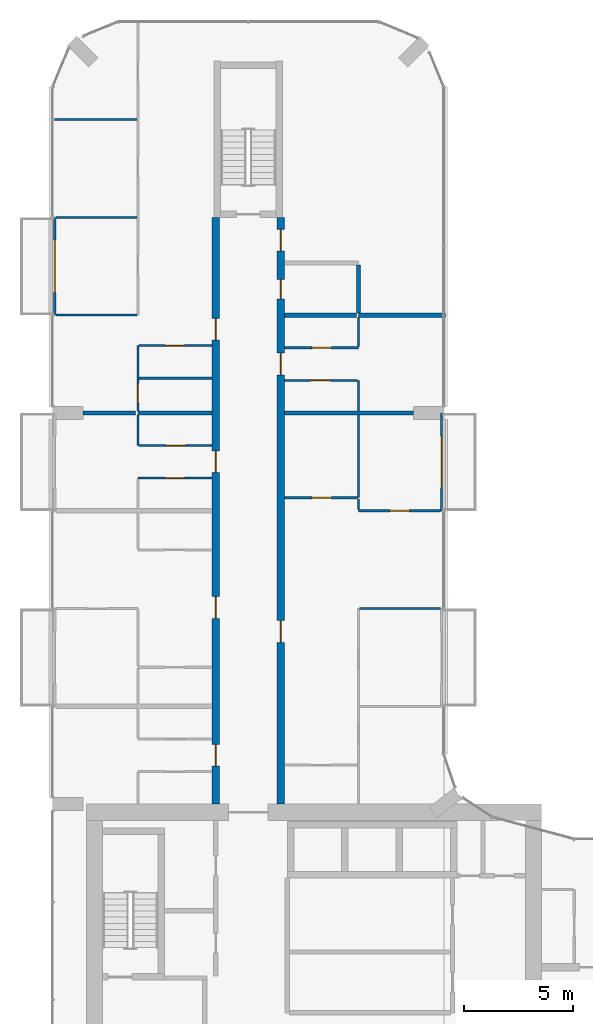
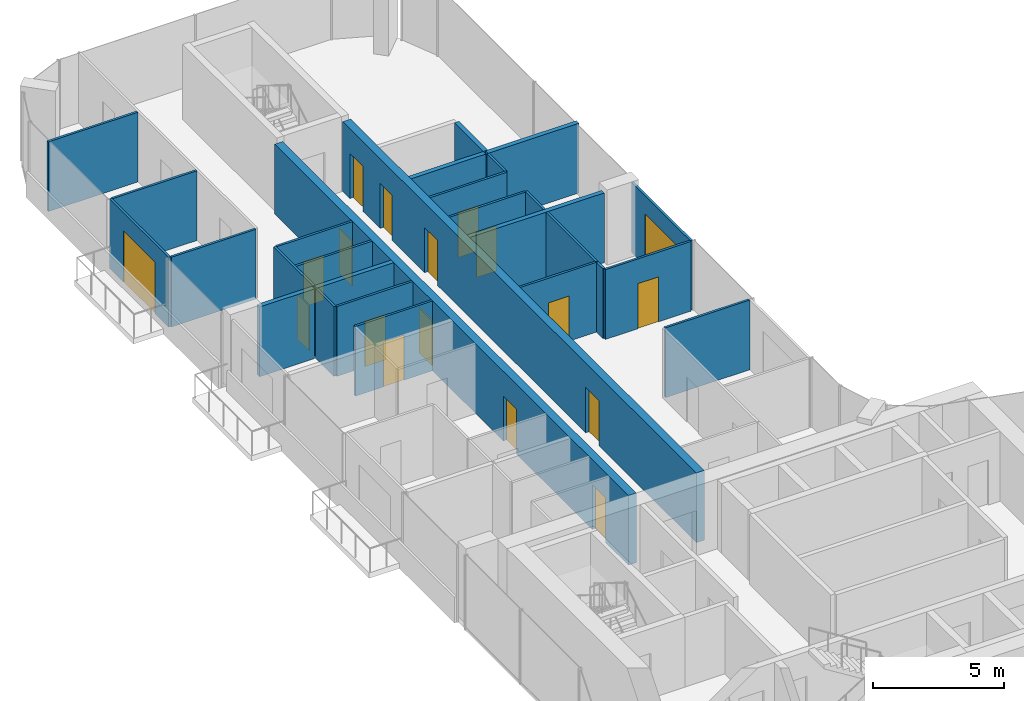
# One storey, part 16 of 23: 28 walls, 18 doors, 18 openings.
"""IFC4 building model written with IfcOpenShell, lengths in metres."""

import ifcopenshell
import ifcopenshell.guid

model = None  # the IFC model being written
_history = None  # IfcOwnerHistory: only IFC2X3 demands one
_inside = {}  # id of a spatial element -> (the spatial element, [elements in it])
_under = {}  # id of a project, library or spatial element -> (it, [spatial elements below it])
_declared = {}  # id of a project -> (the project, [libraries it declares])
_typed = {}  # id of a type object -> (the type object, [elements of that type])
_made_of = {}  # id of a material, layer set ... -> (it, [elements and type objects made of it])


def new_model(schema):
    """Start an empty IFC model of exactly this schema.

    Asked for "IFC4X3", IfcOpenShell would pick the latest addendum, in which some entities
    have other attributes; the version numbers below select the first issue.
    IFC2X3 requires an IfcOwnerHistory on every rooted entity: one is made here for all.
    """
    global model, _history
    if schema == "IFC4X3":
        model = ifcopenshell.file(schema_version=(4, 3, 0, 0))
    else:
        model = ifcopenshell.file(schema=schema)
    _inside.clear()
    _under.clear()
    _declared.clear()
    _typed.clear()
    _made_of.clear()
    _history = None
    if model.schema == "IFC2X3":
        org = make("IfcOrganization", Name="unknown")
        user = make(
            "IfcPersonAndOrganization",
            ThePerson=make("IfcPerson", FamilyName="unknown"),
            TheOrganization=org,
        )
        app = make(
            "IfcApplication",
            ApplicationDeveloper=org,
            Version="unknown",
            ApplicationFullName="unknown",
            ApplicationIdentifier="unknown",
        )
        _history = make(
            "IfcOwnerHistory",
            OwningUser=user,
            OwningApplication=app,
            ChangeAction="ADDED",
            CreationDate=0,
        )
    return model


def make(cls, **values):
    """One entity of the class cls with the attributes given. An attribute that is None is left unset."""
    return model.create_entity(
        cls, **{name: value for name, value in values.items() if value is not None}
    )


def rooted(cls, **values):
    """An entity with a GlobalId (a new one), such as an element, a storey or a relation."""
    return make(cls, GlobalId=ifcopenshell.guid.new(), OwnerHistory=_history, **values)


def si_unit(unit_type, name, prefix=None):
    """IfcSIUnit, for example si_unit("LENGTHUNIT", "METRE", prefix="MILLI")."""
    return make("IfcSIUnit", UnitType=unit_type, Prefix=prefix, Name=name)


def assignment(units):
    """IfcUnitAssignment: the units of a project."""
    return None if units is None else make("IfcUnitAssignment", Units=units)


def point(xyz):
    """IfcCartesianPoint."""
    return None if xyz is None else make("IfcCartesianPoint", Coordinates=xyz)


def direction(xyz):
    """IfcDirection."""
    return None if xyz is None else make("IfcDirection", DirectionRatios=xyz)


def frame(location, z_axis=None, x_axis=None):
    """IfcAxis2Placement3D, a coordinate frame: its origin and axes. An axis left out is left unset."""
    return make(
        "IfcAxis2Placement3D",
        Location=point(location),
        Axis=direction(z_axis),
        RefDirection=direction(x_axis),
    )


def frame_2d(location, x_axis=None):
    """IfcAxis2Placement2D, a coordinate frame in the plane: its origin and x axis."""
    return make(
        "IfcAxis2Placement2D", Location=point(location), RefDirection=direction(x_axis)
    )


def origin():
    """The frame at (0, 0, 0) with its axes left unset."""
    return frame((0.0, 0.0, 0.0))


def place(relative_to, where):
    """IfcLocalPlacement: puts the frame where relative to a parent placement (None: the world)."""
    return make(
        "IfcLocalPlacement", PlacementRelTo=relative_to, RelativePlacement=where
    )


def context(
    kind, dimensions, precision=None, world=None, true_north=None, identifier=None
):
    """IfcGeometricRepresentationContext, for example the 3D "Model" context."""
    return make(
        "IfcGeometricRepresentationContext",
        ContextIdentifier=identifier,
        ContextType=kind,
        CoordinateSpaceDimension=dimensions,
        Precision=precision,
        WorldCoordinateSystem=world,
        TrueNorth=true_north,
    )


def subcontext(parent, identifier, kind, view, scale=None):
    """IfcGeometricRepresentationSubContext, for example "Body" below "Model"."""
    return make(
        "IfcGeometricRepresentationSubContext",
        ContextIdentifier=identifier,
        ContextType=kind,
        ParentContext=parent,
        TargetScale=scale,
        TargetView=view,
    )


def project(units=None, contexts=None):
    """IfcProject with its units and contexts."""
    return rooted(
        "IfcProject",
        Name="project",
        RepresentationContexts=contexts,
        UnitsInContext=assignment(units),
    )


def spatial(cls, under=None, at=None, **own):
    """A site, building, storey or space (cls), placed at a placement, below another one or the project."""
    s = rooted(cls, ObjectPlacement=at, **own)
    if under is not None:
        _under.setdefault(under.id(), (under, []))[1].append(s)
    return s


def profile(cls, at=None, kind="AREA", **sizes):
    """A parametric profile (cls). Its sizes go by their IFC names, for example OverallWidth=200.0."""
    return make(cls, ProfileType=kind, Position=at, **sizes)


def rectangle(**sizes):
    """IfcRectangleProfileDef."""
    return profile("IfcRectangleProfileDef", **sizes)


def extrude(swept, where, along, depth):
    """IfcExtrudedAreaSolid: the profile swept, set in the frame where, extruded along a direction by depth."""
    return make(
        "IfcExtrudedAreaSolid",
        SweptArea=swept,
        Position=where,
        ExtrudedDirection=direction(along),
        Depth=depth,
    )


def shape(context_of_items, identifier, shape_type, items):
    """IfcShapeRepresentation: the items that make up one representation, for example the "Body"."""
    return make(
        "IfcShapeRepresentation",
        ContextOfItems=context_of_items,
        RepresentationIdentifier=identifier,
        RepresentationType=shape_type,
        Items=items,
    )


def material(Name=None, Category=None):
    """IfcMaterial."""
    return make("IfcMaterial", Name=Name, Category=Category)


def layer(
    of_material, thickness, ventilated=None, Name=None, Category=None, Priority=None
):
    """IfcMaterialLayer: one layer of a wall or slab, of a material (None: an air gap)."""
    return make(
        "IfcMaterialLayer",
        Material=of_material,
        LayerThickness=thickness,
        IsVentilated=ventilated,
        Name=Name,
        Category=Category,
        Priority=Priority,
    )


def layer_set(layers, Name=None):
    """IfcMaterialLayerSet."""
    return make("IfcMaterialLayerSet", MaterialLayers=layers, LayerSetName=Name)


def made_of(thing, what):
    """Note that an element or type object is made of a material, layer set ...; save() writes the relation."""
    if what is not None:
        _made_of.setdefault(what.id(), (what, []))[1].append(thing)
    return thing


def type_object(cls, material=None, **own):
    """A type object (cls), such as IfcWallType, which elements share."""
    return made_of(rooted(cls, **own), material)


def element(
    cls,
    number,
    at=None,
    inside=None,
    cuts=None,
    type_object=None,
    material=None,
    context=None,
    identifier="Body",
    shape_type=None,
    held_by="IfcProductDefinitionShape",
    body=None,
    shapes=None,
    **own,
):
    """One element of the class cls, such as IfcWall. Its Tag is "e" and its number.

    at: its placement. inside: the storey or other place that contains it. cuts: it is an
    opening in that element (IfcRelVoidsElement). A single representation is given by context,
    identifier, shape_type and body (its items); several are given by shapes. held_by: the class
    of the entity that holds the representations. save() writes the other relations.
    """
    e = rooted(cls, Tag="e%d" % number, ObjectPlacement=at, **own)
    if body is not None:
        shapes = [shape(context, identifier, shape_type, body)]
    if shapes is not None:
        e.Representation = make(held_by, Representations=shapes)
    if inside is not None:
        _inside.setdefault(inside.id(), (inside, []))[1].append(e)
    if cuts is not None:
        rooted(
            "IfcRelVoidsElement", RelatingBuildingElement=cuts, RelatedOpeningElement=e
        )
    if type_object is not None:
        _typed.setdefault(type_object.id(), (type_object, []))[1].append(e)
    return made_of(e, material)


def fill(opening, filler):
    """IfcRelFillsElement: the door or window that sits in an opening."""
    return rooted(
        "IfcRelFillsElement",
        RelatingOpeningElement=opening,
        RelatedBuildingElement=filler,
    )


def aggregate(whole, parts):
    """IfcRelAggregates: a whole, such as a stair, and the parts it consists of."""
    return rooted("IfcRelAggregates", RelatingObject=whole, RelatedObjects=parts)


def save(model, path):
    """Write the relations noted so far, then the file.

    IfcRelAggregates (storeys below a building ...), IfcRelContainedInSpatialStructure (elements
    in a storey), IfcRelDefinesByType, IfcRelAssociatesMaterial and IfcRelDeclares: one each for
    every whole, place, type object, material and project.
    """
    for whole, parts in _under.values():
        aggregate(whole, parts)
    for where, things in _inside.values():
        rooted(
            "IfcRelContainedInSpatialStructure",
            RelatedElements=things,
            RelatingStructure=where,
        )
    for kind, things in _typed.values():
        rooted("IfcRelDefinesByType", RelatedObjects=things, RelatingType=kind)
    for what, things in _made_of.values():
        rooted("IfcRelAssociatesMaterial", RelatedObjects=things, RelatingMaterial=what)
    for by, libraries in _declared.values():
        rooted("IfcRelDeclares", RelatingContext=by, RelatedDefinitions=libraries)
    model.write(path)


model = new_model("IFC4")

# Units and contexts
model_context = context("Model", 3, precision=1e-05, world=origin(), true_north=direction((0.0, 1.0)))
body_context = subcontext(model_context, "Body", "Model", "MODEL_VIEW")
ifc_project = project(units=[si_unit("LENGTHUNIT", "METRE"), si_unit("AREAUNIT", "SQUARE_METRE"), si_unit("VOLUMEUNIT", "CUBIC_METRE"), si_unit("PLANEANGLEUNIT", "RADIAN"), si_unit("MASSUNIT", "GRAM", prefix="KILO")], contexts=[model_context])

# Site, building, storey
site_placement = place(None, origin())
site = spatial("IfcSite", under=ifc_project, at=site_placement, CompositionType="ELEMENT")
building_placement = place(site_placement, origin())
building = spatial("IfcBuilding", under=site, at=building_placement, Name="Plateau Cross Towers", CompositionType="ELEMENT")
storey_placement = place(building_placement, frame((0.0, 0.0, 33.800048828125)))
storey = spatial("IfcBuildingStorey", under=building, at=storey_placement, Name="L07", CompositionType="ELEMENT", Elevation=33.800048828125)

# Wall, opening, door
ifc_material_1 = material(Name="Aluminium framed glazing", Category="aluminium")
ifc_layer_1 = layer(ifc_material_1, 0.10009765625)
ifc_layer_set_1 = layer_set([ifc_layer_1], Name="Aluminium framed glazing")
wall_type_1 = type_object("IfcWallType", Name="Balcony screen wall 100", PredefinedType="STANDARD", material=ifc_layer_set_1)
wall_1_placement = place(storey_placement, frame((0.10009765625, 40.5, 0.0), z_axis=(0.0, 0.0, 1.0), x_axis=(0.0, 1.0, 0.0)))
wall_1 = element("IfcWall", 1, at=wall_1_placement, inside=storey, type_object=wall_type_1, Name="Balcony screen wall A-BAL-L07-03", PredefinedType="STANDARD", context=body_context, shape_type="SweptSolid", body=[
    extrude(rectangle(XDim=4.5, YDim=0.10009765625, at=frame_2d((2.25, 0.0))), origin(), (0.0, 0.0, 1.0), 3.25),
])
opening_1_placement = place(wall_1_placement, frame((1.050048828125, 0.0, 0.0)))
opening_1 = element("IfcOpeningElement", 2, at=opening_1_placement, cuts=wall_1, Name="Opening D-B24", PredefinedType="OPENING", context=body_context, shape_type="SweptSolid", body=[
    extrude(rectangle(XDim=2.39990234375, YDim=2.39990234375, at=frame_2d((1.199951171875, 1.199951171875))), frame((0.0, 0.06005859375, 0.0), z_axis=(0.0, -1.0, 0.0), x_axis=(1.0, 0.0, 0.0)), (0.0, 0.0, 1.0), 0.1201171875),
])
ifc_material_2 = material(Name="Aluminium frame, double glazing", Category="aluminium")
door_type_1 = type_object("IfcDoorType", Name="Balcony sliding door 2400", OperationType="NOTDEFINED", PredefinedType="DOOR", material=ifc_material_2)
door_1_placement = place(opening_1_placement, origin())
door_1 = element("IfcDoor", 3, at=door_1_placement, inside=storey, type_object=door_type_1, Name="Balcony door A-BAL-L07-03", OperationType="SINGLE_SWING_LEFT", OverallHeight=2.39990234375, OverallWidth=2.39990234375, PredefinedType="DOOR", context=body_context, shape_type="SweptSolid", body=[
    extrude(rectangle(XDim=2.39990234375, YDim=2.39990234375, at=frame_2d((1.199951171875, 1.199951171875))), frame((0.0, 0.02490234375, 0.0), z_axis=(0.0, -1.0, 0.0), x_axis=(1.0, 0.0, 0.0)), (0.0, 0.0, 1.0), 0.050048828125),
])
fill(opening_1, door_1)

wall_2_placement = place(storey_placement, frame((17.89990234375, 36.0, 0.0), z_axis=(0.0, 0.0, 1.0), x_axis=(0.0, -1.0, 0.0)))
wall_2 = element("IfcWall", 4, at=wall_2_placement, inside=storey, type_object=wall_type_1, Name="Balcony screen wall A-BAL-L07-05", PredefinedType="STANDARD", context=body_context, shape_type="SweptSolid", body=[
    extrude(rectangle(XDim=4.5, YDim=0.10009765625, at=frame_2d((2.25, 0.0))), origin(), (0.0, 0.0, 1.0), 3.25),
])
opening_2_placement = place(wall_2_placement, frame((1.050048828125, 0.0, 0.0)))
opening_2 = element("IfcOpeningElement", 5, at=opening_2_placement, cuts=wall_2, Name="Opening D-B24", PredefinedType="OPENING", context=body_context, shape_type="SweptSolid", body=[
    extrude(rectangle(XDim=2.39990234375, YDim=2.39990234375, at=frame_2d((1.199951171875, 1.199951171875))), frame((0.0, 0.06005859375, 0.0), z_axis=(0.0, -1.0, 0.0), x_axis=(1.0, 0.0, 0.0)), (0.0, 0.0, 1.0), 0.1201171875),
])
door_2_placement = place(opening_2_placement, origin())
door_2 = element("IfcDoor", 6, at=door_2_placement, inside=storey, type_object=door_type_1, Name="Balcony door A-BAL-L07-05", OperationType="SINGLE_SWING_LEFT", OverallHeight=2.39990234375, OverallWidth=2.39990234375, PredefinedType="DOOR", context=body_context, shape_type="SweptSolid", body=[
    extrude(rectangle(XDim=2.39990234375, YDim=2.39990234375, at=frame_2d((1.199951171875, 1.199951171875))), frame((0.0, 0.02490234375, 0.0), z_axis=(0.0, -1.0, 0.0), x_axis=(1.0, 0.0, 0.0)), (0.0, 0.0, 1.0), 0.050048828125),
])
fill(opening_2, door_2)

# Wall, openings, doors
ifc_material_3 = material(Name="Concrete C60/75", Category="concrete")
ifc_layer_2 = layer(ifc_material_3, 0.35009765625)
ifc_layer_set_2 = layer_set([ifc_layer_2], Name="Concrete C60/75")
wall_type_2 = type_object("IfcWallType", Name="Corridor wall 350", PredefinedType="SHEAR", material=ifc_layer_set_2)
wall_3_placement = place(storey_placement, frame((7.5, 18.0, 0.0), z_axis=(0.0, 0.0, 1.0), x_axis=(0.0, 1.0, 0.0)))
wall_3 = element("IfcWall", 7, at=wall_3_placement, inside=storey, type_object=wall_type_2, Name="A-cw-W1@L07", PredefinedType="SHEAR", context=body_context, shape_type="SweptSolid", body=[
    extrude(rectangle(XDim=27.0, YDim=0.35009765625, at=frame_2d((13.5, 0.0))), origin(), (0.0, 0.0, 1.0), 3.25),
])
opening_3_placement = place(wall_3_placement, frame((1.75, 0.0, 0.0)))
opening_3 = element("IfcOpeningElement", 8, at=opening_3_placement, cuts=wall_3, Name="Opening 07-09", PredefinedType="OPENING", context=body_context, shape_type="SweptSolid", body=[
    extrude(rectangle(XDim=1.0, YDim=2.10009765625, at=frame_2d((0.5, 1.050048828125))), frame((0.0, 0.18505859375, 0.0), z_axis=(0.0, -1.0, 0.0), x_axis=(1.0, 0.0, 0.0)), (0.0, 0.0, 1.0), 0.3701171875),
])
opening_4_placement = place(wall_3_placement, frame((8.550048828125, 0.0, 0.0)))
opening_4 = element("IfcOpeningElement", 9, at=opening_4_placement, cuts=wall_3, Name="Opening 07-10", PredefinedType="OPENING", context=body_context, shape_type="SweptSolid", body=[
    extrude(rectangle(XDim=1.0, YDim=2.10009765625, at=frame_2d((0.5, 1.050048828125))), frame((0.0, 0.18505859375, 0.0), z_axis=(0.0, -1.0, 0.0), x_axis=(1.0, 0.0, 0.0)), (0.0, 0.0, 1.0), 0.3701171875),
])
opening_5_placement = place(wall_3_placement, frame((15.25, 0.0, 0.0)))
opening_5 = element("IfcOpeningElement", 10, at=opening_5_placement, cuts=wall_3, Name="Opening 07-11", PredefinedType="OPENING", context=body_context, shape_type="SweptSolid", body=[
    extrude(rectangle(XDim=1.0, YDim=2.10009765625, at=frame_2d((0.5, 1.050048828125))), frame((0.0, 0.18505859375, 0.0), z_axis=(0.0, -1.0, 0.0), x_axis=(1.0, 0.0, 0.0)), (0.0, 0.0, 1.0), 0.3701171875),
])
opening_6_placement = place(wall_3_placement, frame((21.35009765625, 0.0, 0.0)))
opening_6 = element("IfcOpeningElement", 11, at=opening_6_placement, cuts=wall_3, Name="Opening 07-12", PredefinedType="OPENING", context=body_context, shape_type="SweptSolid", body=[
    extrude(rectangle(XDim=1.0, YDim=2.10009765625, at=frame_2d((0.5, 1.050048828125))), frame((0.0, 0.18505859375, 0.0), z_axis=(0.0, -1.0, 0.0), x_axis=(1.0, 0.0, 0.0)), (0.0, 0.0, 1.0), 0.3701171875),
])
ifc_material_4 = material(Name="Timber, fire-resisting leaf", Category="wood")
door_type_2 = type_object("IfcDoorType", Name="Flat entrance door 1000", OperationType="NOTDEFINED", PredefinedType="DOOR", material=ifc_material_4)
door_3_placement = place(opening_3_placement, origin())
door_3 = element("IfcDoor", 12, at=door_3_placement, inside=storey, type_object=door_type_2, Name="Door 07-09", OperationType="SINGLE_SWING_LEFT", OverallHeight=2.10009765625, OverallWidth=1.0, PredefinedType="DOOR", context=body_context, shape_type="SweptSolid", body=[
    extrude(rectangle(XDim=1.0, YDim=2.10009765625, at=frame_2d((0.5, 1.050048828125))), frame((0.0, 0.02490234375, 0.0), z_axis=(0.0, -1.0, 0.0), x_axis=(1.0, 0.0, 0.0)), (0.0, 0.0, 1.0), 0.050048828125),
])
fill(opening_3, door_3)
door_4_placement = place(opening_4_placement, origin())
door_4 = element("IfcDoor", 13, at=door_4_placement, inside=storey, type_object=door_type_2, Name="Door 07-10", OperationType="SINGLE_SWING_LEFT", OverallHeight=2.10009765625, OverallWidth=1.0, PredefinedType="DOOR", context=body_context, shape_type="SweptSolid", body=[
    extrude(rectangle(XDim=1.0, YDim=2.10009765625, at=frame_2d((0.5, 1.050048828125))), frame((0.0, 0.02490234375, 0.0), z_axis=(0.0, -1.0, 0.0), x_axis=(1.0, 0.0, 0.0)), (0.0, 0.0, 1.0), 0.050048828125),
])
fill(opening_4, door_4)
door_5_placement = place(opening_5_placement, origin())
door_5 = element("IfcDoor", 14, at=door_5_placement, inside=storey, type_object=door_type_2, Name="Door 07-11", OperationType="SINGLE_SWING_RIGHT", OverallHeight=2.10009765625, OverallWidth=1.0, PredefinedType="DOOR", context=body_context, shape_type="SweptSolid", body=[
    extrude(rectangle(XDim=1.0, YDim=2.10009765625, at=frame_2d((0.5, 1.050048828125))), frame((0.0, 0.02490234375, 0.0), z_axis=(0.0, -1.0, 0.0), x_axis=(1.0, 0.0, 0.0)), (0.0, 0.0, 1.0), 0.050048828125),
])
fill(opening_5, door_5)
door_6_placement = place(opening_6_placement, origin())
door_6 = element("IfcDoor", 15, at=door_6_placement, inside=storey, type_object=door_type_2, Name="Door 07-12", OperationType="SINGLE_SWING_RIGHT", OverallHeight=2.10009765625, OverallWidth=1.0, PredefinedType="DOOR", context=body_context, shape_type="SweptSolid", body=[
    extrude(rectangle(XDim=1.0, YDim=2.10009765625, at=frame_2d((0.5, 1.050048828125))), frame((0.0, 0.02490234375, 0.0), z_axis=(0.0, -1.0, 0.0), x_axis=(1.0, 0.0, 0.0)), (0.0, 0.0, 1.0), 0.050048828125),
])
fill(opening_6, door_6)

wall_4_placement = place(storey_placement, frame((10.5, 18.0, 0.0), z_axis=(0.0, 0.0, 1.0), x_axis=(0.0, 1.0, 0.0)))
wall_4 = element("IfcWall", 16, at=wall_4_placement, inside=storey, type_object=wall_type_2, Name="A-cw-W2@L07", PredefinedType="SHEAR", context=body_context, shape_type="SweptSolid", body=[
    extrude(rectangle(XDim=27.0, YDim=0.35009765625, at=frame_2d((13.5, 0.0))), origin(), (0.0, 0.0, 1.0), 3.25),
])
opening_7_placement = place(wall_4_placement, frame((7.449951171875, 0.0, 0.0)))
opening_7 = element("IfcOpeningElement", 17, at=opening_7_placement, cuts=wall_4, Name="Opening 07-13", PredefinedType="OPENING", context=body_context, shape_type="SweptSolid", body=[
    extrude(rectangle(XDim=1.0, YDim=2.10009765625, at=frame_2d((0.5, 1.050048828125))), frame((0.0, 0.18505859375, 0.0), z_axis=(0.0, -1.0, 0.0), x_axis=(1.0, 0.0, 0.0)), (0.0, 0.0, 1.0), 0.3701171875),
])
opening_8_placement = place(wall_4_placement, frame((19.75, 0.0, 0.0)))
opening_8 = element("IfcOpeningElement", 18, at=opening_8_placement, cuts=wall_4, Name="Opening 07-14", PredefinedType="OPENING", context=body_context, shape_type="SweptSolid", body=[
    extrude(rectangle(XDim=1.0, YDim=2.10009765625, at=frame_2d((0.5, 1.050048828125))), frame((0.0, 0.18505859375, 0.0), z_axis=(0.0, -1.0, 0.0), x_axis=(1.0, 0.0, 0.0)), (0.0, 0.0, 1.0), 0.3701171875),
])
opening_9_placement = place(wall_4_placement, frame((23.25, 0.0, 0.0)))
opening_9 = element("IfcOpeningElement", 19, at=opening_9_placement, cuts=wall_4, Name="Opening 07-15", PredefinedType="OPENING", context=body_context, shape_type="SweptSolid", body=[
    extrude(rectangle(XDim=0.89990234375, YDim=2.10009765625, at=frame_2d((0.449951171875, 1.050048828125))), frame((0.0, 0.18505859375, 0.0), z_axis=(0.0, -1.0, 0.0), x_axis=(1.0, 0.0, 0.0)), (0.0, 0.0, 1.0), 0.3701171875),
])
opening_10_placement = place(wall_4_placement, frame((25.449951171875, 0.0, 0.0)))
opening_10 = element("IfcOpeningElement", 20, at=opening_10_placement, cuts=wall_4, Name="Opening 07-16", PredefinedType="OPENING", context=body_context, shape_type="SweptSolid", body=[
    extrude(rectangle(XDim=1.0, YDim=2.10009765625, at=frame_2d((0.5, 1.050048828125))), frame((0.0, 0.18505859375, 0.0), z_axis=(0.0, -1.0, 0.0), x_axis=(1.0, 0.0, 0.0)), (0.0, 0.0, 1.0), 0.3701171875),
])
door_7_placement = place(opening_7_placement, origin())
door_7 = element("IfcDoor", 21, at=door_7_placement, inside=storey, type_object=door_type_2, Name="Door 07-13", OperationType="SINGLE_SWING_LEFT", OverallHeight=2.10009765625, OverallWidth=1.0, PredefinedType="DOOR", context=body_context, shape_type="SweptSolid", body=[
    extrude(rectangle(XDim=1.0, YDim=2.10009765625, at=frame_2d((0.5, 1.050048828125))), frame((0.0, 0.02490234375, 0.0), z_axis=(0.0, -1.0, 0.0), x_axis=(1.0, 0.0, 0.0)), (0.0, 0.0, 1.0), 0.050048828125),
])
fill(opening_7, door_7)
door_8_placement = place(opening_8_placement, origin())
door_8 = element("IfcDoor", 22, at=door_8_placement, inside=storey, type_object=door_type_2, Name="Door 07-14", OperationType="SINGLE_SWING_RIGHT", OverallHeight=2.10009765625, OverallWidth=1.0, PredefinedType="DOOR", context=body_context, shape_type="SweptSolid", body=[
    extrude(rectangle(XDim=1.0, YDim=2.10009765625, at=frame_2d((0.5, 1.050048828125))), frame((0.0, 0.02490234375, 0.0), z_axis=(0.0, -1.0, 0.0), x_axis=(1.0, 0.0, 0.0)), (0.0, 0.0, 1.0), 0.050048828125),
])
fill(opening_8, door_8)
door_9_placement = place(opening_10_placement, origin())
door_9 = element("IfcDoor", 23, at=door_9_placement, inside=storey, type_object=door_type_2, Name="Door 07-16", OperationType="SINGLE_SWING_RIGHT", OverallHeight=2.10009765625, OverallWidth=1.0, PredefinedType="DOOR", context=body_context, shape_type="SweptSolid", body=[
    extrude(rectangle(XDim=1.0, YDim=2.10009765625, at=frame_2d((0.5, 1.050048828125))), frame((0.0, 0.02490234375, 0.0), z_axis=(0.0, -1.0, 0.0), x_axis=(1.0, 0.0, 0.0)), (0.0, 0.0, 1.0), 0.050048828125),
])
fill(opening_10, door_9)
door_type_3 = type_object("IfcDoorType", Name="Flat floor service door 900", OperationType="NOTDEFINED", PredefinedType="DOOR", material=ifc_material_4)
door_10_placement = place(opening_9_placement, origin())
door_10 = element("IfcDoor", 24, at=door_10_placement, inside=storey, type_object=door_type_3, Name="Door 07-15", OperationType="SINGLE_SWING_RIGHT", OverallHeight=2.10009765625, OverallWidth=0.89990234375, PredefinedType="DOOR", context=body_context, shape_type="SweptSolid", body=[
    extrude(rectangle(XDim=0.89990234375, YDim=2.10009765625, at=frame_2d((0.449951171875, 1.050048828125))), frame((0.0, 0.02490234375, 0.0), z_axis=(0.0, -1.0, 0.0), x_axis=(1.0, 0.0, 0.0)), (0.0, 0.0, 1.0), 0.050048828125),
])
fill(opening_9, door_10)

# Wall
ifc_material_5 = material(Name="Gypsum board on steel studs", Category="steel")
ifc_layer_3 = layer(ifc_material_5, 0.10009765625)
ifc_layer_set_3 = layer_set([ifc_layer_3], Name="Gypsum board on steel studs")
wall_type_3 = type_object("IfcWallType", Name="Flat partition 100", PredefinedType="PARTITIONING", material=ifc_layer_set_3)
wall_5_placement = place(storey_placement, frame((17.85009765625, 27.0, 0.0), z_axis=(0.0, 0.0, 1.0), x_axis=(-1.0, 0.0, 0.0)))
element("IfcWall", 25, at=wall_5_placement, inside=storey, type_object=wall_type_3, Name="Partition wall", PredefinedType="PARTITIONING", context=body_context, shape_type="SweptSolid", body=[
    extrude(rectangle(XDim=3.72509765625, YDim=0.10009765625, at=frame_2d((1.862548828125, 0.0))), origin(), (0.0, 0.0, 1.0), 3.25),
])

# Wall, opening, door
wall_6_placement = place(storey_placement, frame((14.074951171875, 31.5, 0.0), z_axis=(0.0, 0.0, 1.0), x_axis=(1.0, 0.0, 0.0)))
wall_6 = element("IfcWall", 26, at=wall_6_placement, inside=storey, type_object=wall_type_3, Name="Partition wall", PredefinedType="PARTITIONING", context=body_context, shape_type="SweptSolid", body=[
    extrude(rectangle(XDim=3.775146484375, YDim=0.10009765625, at=frame_2d((1.8876953125, 0.0))), origin(), (0.0, 0.0, 1.0), 3.25),
])
opening_11_placement = place(wall_6_placement, frame((1.449951171875, 0.0, 0.0)))
opening_11 = element("IfcOpeningElement", 27, at=opening_11_placement, cuts=wall_6, Name="Opening 07-48", PredefinedType="OPENING", context=body_context, shape_type="SweptSolid", body=[
    extrude(rectangle(XDim=0.89990234375, YDim=2.10009765625, at=frame_2d((0.449951171875, 1.050048828125))), frame((0.0, 0.06005859375, 0.0), z_axis=(0.0, -1.0, 0.0), x_axis=(1.0, 0.0, 0.0)), (0.0, 0.0, 1.0), 0.1201171875),
])
ifc_material_6 = material(Name="Timber leaf", Category="wood")
door_type_4 = type_object("IfcDoorType", Name="Flat room door 900", OperationType="NOTDEFINED", PredefinedType="DOOR", material=ifc_material_6)
door_11_placement = place(opening_11_placement, origin())
door_11 = element("IfcDoor", 28, at=door_11_placement, inside=storey, type_object=door_type_4, Name="Door 07-48", OperationType="SINGLE_SWING_RIGHT", OverallHeight=2.10009765625, OverallWidth=0.89990234375, PredefinedType="DOOR", context=body_context, shape_type="SweptSolid", body=[
    extrude(rectangle(XDim=0.89990234375, YDim=2.10009765625, at=frame_2d((0.449951171875, 1.050048828125))), frame((0.0, 0.02490234375, 0.0), z_axis=(0.0, -1.0, 0.0), x_axis=(1.0, 0.0, 0.0)), (0.0, 0.0, 1.0), 0.050048828125),
])
fill(opening_11, door_11)

wall_7_placement = place(storey_placement, frame((10.675048828125, 32.10009765625, 0.0), z_axis=(0.0, 0.0, 1.0), x_axis=(1.0, 0.0, 0.0)))
wall_7 = element("IfcWall", 29, at=wall_7_placement, inside=storey, type_object=wall_type_3, Name="Partition wall", PredefinedType="PARTITIONING", context=body_context, shape_type="SweptSolid", body=[
    extrude(rectangle(XDim=3.349853515625, YDim=0.10009765625, at=frame_2d((1.6748046875, 0.0))), origin(), (0.0, 0.0, 1.0), 3.25),
])
opening_12_placement = place(wall_7_placement, frame((1.25, 0.0, 0.0)))
opening_12 = element("IfcOpeningElement", 30, at=opening_12_placement, cuts=wall_7, Name="Opening 07-45", PredefinedType="OPENING", context=body_context, shape_type="SweptSolid", body=[
    extrude(rectangle(XDim=0.89990234375, YDim=2.10009765625, at=frame_2d((0.449951171875, 1.050048828125))), frame((0.0, 0.06005859375, 0.0), z_axis=(0.0, -1.0, 0.0), x_axis=(1.0, 0.0, 0.0)), (0.0, 0.0, 1.0), 0.1201171875),
])
door_12_placement = place(opening_12_placement, origin())
door_12 = element("IfcDoor", 31, at=door_12_placement, inside=storey, type_object=door_type_4, Name="Door 07-45", OperationType="SINGLE_SWING_RIGHT", OverallHeight=2.10009765625, OverallWidth=0.89990234375, PredefinedType="DOOR", context=body_context, shape_type="SweptSolid", body=[
    extrude(rectangle(XDim=0.89990234375, YDim=2.10009765625, at=frame_2d((0.449951171875, 1.050048828125))), frame((0.0, 0.02490234375, 0.0), z_axis=(0.0, -1.0, 0.0), x_axis=(1.0, 0.0, 0.0)), (0.0, 0.0, 1.0), 0.050048828125),
])
fill(opening_12, door_12)

wall_8_placement = place(storey_placement, frame((7.324951171875, 33.0, 0.0), z_axis=(0.0, 0.0, 1.0), x_axis=(-1.0, 0.0, 0.0)))
wall_8 = element("IfcWall", 32, at=wall_8_placement, inside=storey, type_object=wall_type_3, Name="Partition wall", PredefinedType="PARTITIONING", context=body_context, shape_type="SweptSolid", body=[
    extrude(rectangle(XDim=3.39990234375, YDim=0.10009765625, at=frame_2d((1.699951171875, 0.0))), origin(), (0.0, 0.0, 1.0), 3.25),
])
opening_13_placement = place(wall_8_placement, frame((1.25, 0.0, 0.0)))
opening_13 = element("IfcOpeningElement", 33, at=opening_13_placement, cuts=wall_8, Name="Opening 07-37", PredefinedType="OPENING", context=body_context, shape_type="SweptSolid", body=[
    extrude(rectangle(XDim=0.89990234375, YDim=2.10009765625, at=frame_2d((0.449951171875, 1.050048828125))), frame((0.0, 0.06005859375, 0.0), z_axis=(0.0, -1.0, 0.0), x_axis=(1.0, 0.0, 0.0)), (0.0, 0.0, 1.0), 0.1201171875),
])
door_13_placement = place(opening_13_placement, origin())
door_13 = element("IfcDoor", 34, at=door_13_placement, inside=storey, type_object=door_type_4, Name="Door 07-37", OperationType="SINGLE_SWING_LEFT", OverallHeight=2.10009765625, OverallWidth=0.89990234375, PredefinedType="DOOR", context=body_context, shape_type="SweptSolid", body=[
    extrude(rectangle(XDim=0.89990234375, YDim=2.10009765625, at=frame_2d((0.449951171875, 1.050048828125))), frame((0.0, 0.02490234375, 0.0), z_axis=(0.0, -1.0, 0.0), x_axis=(1.0, 0.0, 0.0)), (0.0, 0.0, 1.0), 0.050048828125),
])
fill(opening_13, door_13)

wall_9_placement = place(storey_placement, frame((3.97509765625, 34.5, 0.0), z_axis=(0.0, 0.0, 1.0), x_axis=(1.0, 0.0, 0.0)))
wall_9 = element("IfcWall", 35, at=wall_9_placement, inside=storey, type_object=wall_type_3, Name="Partition wall", PredefinedType="PARTITIONING", context=body_context, shape_type="SweptSolid", body=[
    extrude(rectangle(XDim=3.349853515625, YDim=0.10009765625, at=frame_2d((1.6748046875, 0.0))), origin(), (0.0, 0.0, 1.0), 3.25),
])
opening_14_placement = place(wall_9_placement, frame((1.25, 0.0, 0.0)))
opening_14 = element("IfcOpeningElement", 36, at=opening_14_placement, cuts=wall_9, Name="Opening 07-38", PredefinedType="OPENING", context=body_context, shape_type="SweptSolid", body=[
    extrude(rectangle(XDim=0.89990234375, YDim=2.10009765625, at=frame_2d((0.449951171875, 1.050048828125))), frame((0.0, 0.06005859375, 0.0), z_axis=(0.0, -1.0, 0.0), x_axis=(1.0, 0.0, 0.0)), (0.0, 0.0, 1.0), 0.1201171875),
])
door_14_placement = place(opening_14_placement, origin())
door_14 = element("IfcDoor", 37, at=door_14_placement, inside=storey, type_object=door_type_4, Name="Door 07-38", OperationType="SINGLE_SWING_RIGHT", OverallHeight=2.10009765625, OverallWidth=0.89990234375, PredefinedType="DOOR", context=body_context, shape_type="SweptSolid", body=[
    extrude(rectangle(XDim=0.89990234375, YDim=2.10009765625, at=frame_2d((0.449951171875, 1.050048828125))), frame((0.0, 0.02490234375, 0.0), z_axis=(0.0, -1.0, 0.0), x_axis=(1.0, 0.0, 0.0)), (0.0, 0.0, 1.0), 0.050048828125),
])
fill(opening_14, door_14)

wall_10_placement = place(storey_placement, frame((14.02490234375, 37.5, 0.0), z_axis=(0.0, 0.0, 1.0), x_axis=(-1.0, 0.0, 0.0)))
wall_10 = element("IfcWall", 38, at=wall_10_placement, inside=storey, type_object=wall_type_3, Name="Partition wall", PredefinedType="PARTITIONING", context=body_context, shape_type="SweptSolid", body=[
    extrude(rectangle(XDim=3.349853515625, YDim=0.10009765625, at=frame_2d((1.6748046875, 0.0))), origin(), (0.0, 0.0, 1.0), 3.25),
])
opening_15_placement = place(wall_10_placement, frame((1.25, 0.0, 0.0)))
opening_15 = element("IfcOpeningElement", 39, at=opening_15_placement, cuts=wall_10, Name="Opening 07-49", PredefinedType="OPENING", context=body_context, shape_type="SweptSolid", body=[
    extrude(rectangle(XDim=0.89990234375, YDim=2.10009765625, at=frame_2d((0.449951171875, 1.050048828125))), frame((0.0, 0.06005859375, 0.0), z_axis=(0.0, -1.0, 0.0), x_axis=(1.0, 0.0, 0.0)), (0.0, 0.0, 1.0), 0.1201171875),
])
door_15_placement = place(opening_15_placement, origin())
door_15 = element("IfcDoor", 40, at=door_15_placement, inside=storey, type_object=door_type_4, Name="Door 07-49", OperationType="SINGLE_SWING_RIGHT", OverallHeight=2.10009765625, OverallWidth=0.89990234375, PredefinedType="DOOR", context=body_context, shape_type="SweptSolid", body=[
    extrude(rectangle(XDim=0.89990234375, YDim=2.10009765625, at=frame_2d((0.449951171875, 1.050048828125))), frame((0.0, 0.02490234375, 0.0), z_axis=(0.0, -1.0, 0.0), x_axis=(1.0, 0.0, 0.0)), (0.0, 0.0, 1.0), 0.050048828125),
])
fill(opening_15, door_15)

# Wall
wall_11_placement = place(storey_placement, frame((7.324951171875, 37.60009765625, 0.0), z_axis=(0.0, 0.0, 1.0), x_axis=(-1.0, 0.0, 0.0)))
element("IfcWall", 41, at=wall_11_placement, inside=storey, type_object=wall_type_3, Name="Partition wall", PredefinedType="PARTITIONING", context=body_context, shape_type="SweptSolid", body=[
    extrude(rectangle(XDim=3.349853515625, YDim=0.10009765625, at=frame_2d((1.6748046875, 0.0))), origin(), (0.0, 0.0, 1.0), 3.25),
])

# Wall, opening, door
wall_12_placement = place(storey_placement, frame((10.675048828125, 39.0, 0.0), z_axis=(0.0, 0.0, 1.0), x_axis=(1.0, 0.0, 0.0)))
wall_12 = element("IfcWall", 42, at=wall_12_placement, inside=storey, type_object=wall_type_3, Name="Partition wall", PredefinedType="PARTITIONING", context=body_context, shape_type="SweptSolid", body=[
    extrude(rectangle(XDim=3.39990234375, YDim=0.10009765625, at=frame_2d((1.699951171875, 0.0))), origin(), (0.0, 0.0, 1.0), 3.25),
])
opening_16_placement = place(wall_12_placement, frame((1.25, 0.0, 0.0)))
opening_16 = element("IfcOpeningElement", 43, at=opening_16_placement, cuts=wall_12, Name="Opening 07-50", PredefinedType="OPENING", context=body_context, shape_type="SweptSolid", body=[
    extrude(rectangle(XDim=0.89990234375, YDim=2.10009765625, at=frame_2d((0.449951171875, 1.050048828125))), frame((0.0, 0.06005859375, 0.0), z_axis=(0.0, -1.0, 0.0), x_axis=(1.0, 0.0, 0.0)), (0.0, 0.0, 1.0), 0.1201171875),
])
door_16_placement = place(opening_16_placement, origin())
door_16 = element("IfcDoor", 44, at=door_16_placement, inside=storey, type_object=door_type_4, Name="Door 07-50", OperationType="SINGLE_SWING_RIGHT", OverallHeight=2.10009765625, OverallWidth=0.89990234375, PredefinedType="DOOR", context=body_context, shape_type="SweptSolid", body=[
    extrude(rectangle(XDim=0.89990234375, YDim=2.10009765625, at=frame_2d((0.449951171875, 1.050048828125))), frame((0.0, 0.02490234375, 0.0), z_axis=(0.0, -1.0, 0.0), x_axis=(1.0, 0.0, 0.0)), (0.0, 0.0, 1.0), 0.050048828125),
])
fill(opening_16, door_16)

wall_13_placement = place(storey_placement, frame((7.324951171875, 39.10009765625, 0.0), z_axis=(0.0, 0.0, 1.0), x_axis=(-1.0, 0.0, 0.0)))
wall_13 = element("IfcWall", 45, at=wall_13_placement, inside=storey, type_object=wall_type_3, Name="Partition wall", PredefinedType="PARTITIONING", context=body_context, shape_type="SweptSolid", body=[
    extrude(rectangle(XDim=3.349853515625, YDim=0.10009765625, at=frame_2d((1.6748046875, 0.0))), origin(), (0.0, 0.0, 1.0), 3.25),
])
opening_17_placement = place(wall_13_placement, frame((1.25, 0.0, 0.0)))
opening_17 = element("IfcOpeningElement", 46, at=opening_17_placement, cuts=wall_13, Name="Opening 07-40", PredefinedType="OPENING", context=body_context, shape_type="SweptSolid", body=[
    extrude(rectangle(XDim=0.89990234375, YDim=2.10009765625, at=frame_2d((0.449951171875, 1.050048828125))), frame((0.0, 0.06005859375, 0.0), z_axis=(0.0, -1.0, 0.0), x_axis=(1.0, 0.0, 0.0)), (0.0, 0.0, 1.0), 0.1201171875),
])
door_17_placement = place(opening_17_placement, origin())
door_17 = element("IfcDoor", 47, at=door_17_placement, inside=storey, type_object=door_type_4, Name="Door 07-40", OperationType="SINGLE_SWING_RIGHT", OverallHeight=2.10009765625, OverallWidth=0.89990234375, PredefinedType="DOOR", context=body_context, shape_type="SweptSolid", body=[
    extrude(rectangle(XDim=0.89990234375, YDim=2.10009765625, at=frame_2d((0.449951171875, 1.050048828125))), frame((0.0, 0.02490234375, 0.0), z_axis=(0.0, -1.0, 0.0), x_axis=(1.0, 0.0, 0.0)), (0.0, 0.0, 1.0), 0.050048828125),
])
fill(opening_17, door_17)

# Walls
for number, where, z_axis, x_axis, name in (
    (48, (0.14990234375, 40.5, 0.0), (0.0, 0.0, 1.0), (1.0, 0.0, 0.0), "Partition wall"),
    (49, (3.875, 45.0, 0.0), (0.0, 0.0, 1.0), (-1.0, 0.0, 0.0), "Partition wall"),
):
    element("IfcWall", number, at=place(storey_placement, frame(where, z_axis=z_axis, x_axis=x_axis)), inside=storey, type_object=wall_type_3, Name=name, PredefinedType="PARTITIONING", context=body_context, shape_type="SweptSolid", body=[
        extrude(rectangle(XDim=3.72509765625, YDim=0.10009765625, at=frame_2d((1.862548828125, 0.0))), origin(), (0.0, 0.0, 1.0), 3.25),
    ])
wall_14_placement = place(storey_placement, frame((3.875, 49.5, 0.0), z_axis=(0.0, 0.0, 1.0), x_axis=(-1.0, 0.0, 0.0)))
element("IfcWall", 50, at=wall_14_placement, inside=storey, type_object=wall_type_3, Name="Partition wall", PredefinedType="PARTITIONING", context=body_context, shape_type="SweptSolid", body=[
    extrude(rectangle(XDim=3.955078125, YDim=0.10009765625, at=frame_2d((1.9775390625, 0.0))), origin(), (0.0, 0.0, 1.0), 3.25),
])
wall_15_placement = place(storey_placement, frame((3.925048828125, 35.89990234375, 0.0), z_axis=(0.0, 0.0, 1.0), x_axis=(0.0, -1.0, 0.0)))
element("IfcWall", 51, at=wall_15_placement, inside=storey, type_object=wall_type_3, Name="Partition wall", PredefinedType="PARTITIONING", context=body_context, shape_type="SweptSolid", body=[
    extrude(rectangle(XDim=1.39990234375, YDim=0.10009765625, at=frame_2d((0.699951171875, 0.0))), origin(), (0.0, 0.0, 1.0), 3.25),
])

# Wall, opening, door
wall_16_placement = place(storey_placement, frame((3.925048828125, 39.10009765625, 0.0), z_axis=(0.0, 0.0, 1.0), x_axis=(0.0, -1.0, 0.0)))
wall_16 = element("IfcWall", 52, at=wall_16_placement, inside=storey, type_object=wall_type_3, Name="Partition wall", PredefinedType="PARTITIONING", context=body_context, shape_type="SweptSolid", body=[
    extrude(rectangle(XDim=3.0, YDim=0.10009765625, at=frame_2d((1.5, 0.0))), origin(), (0.0, 0.0, 1.0), 3.25),
])
opening_18_placement = place(wall_16_placement, frame((1.75, 0.0, 0.0)))
opening_18 = element("IfcOpeningElement", 53, at=opening_18_placement, cuts=wall_16, Name="Opening 07-39", PredefinedType="OPENING", context=body_context, shape_type="SweptSolid", body=[
    extrude(rectangle(XDim=0.89990234375, YDim=2.10009765625, at=frame_2d((0.449951171875, 1.050048828125))), frame((0.0, 0.06005859375, 0.0), z_axis=(0.0, -1.0, 0.0), x_axis=(1.0, 0.0, 0.0)), (0.0, 0.0, 1.0), 0.1201171875),
])
door_18_placement = place(opening_18_placement, origin())
door_18 = element("IfcDoor", 54, at=door_18_placement, inside=storey, type_object=door_type_4, Name="Door 07-39", OperationType="SINGLE_SWING_RIGHT", OverallHeight=2.10009765625, OverallWidth=0.89990234375, PredefinedType="DOOR", context=body_context, shape_type="SweptSolid", body=[
    extrude(rectangle(XDim=0.89990234375, YDim=2.10009765625, at=frame_2d((0.449951171875, 1.050048828125))), frame((0.0, 0.02490234375, 0.0), z_axis=(0.0, -1.0, 0.0), x_axis=(1.0, 0.0, 0.0)), (0.0, 0.0, 1.0), 0.050048828125),
])
fill(opening_18, door_18)

# Walls
wall_17_placement = place(storey_placement, frame((14.074951171875, 32.050048828125, 0.0), z_axis=(0.0, 0.0, 1.0), x_axis=(0.0, -1.0, 0.0)))
element("IfcWall", 55, at=wall_17_placement, inside=storey, type_object=wall_type_3, Name="Partition wall", PredefinedType="PARTITIONING", context=body_context, shape_type="SweptSolid", body=[
    extrude(rectangle(XDim=0.5, YDim=0.10009765625, at=frame_2d((0.25, 0.0))), origin(), (0.0, 0.0, 1.0), 3.25),
])
wall_18_placement = place(storey_placement, frame((14.074951171875, 32.10009765625, 0.0), z_axis=(0.0, 0.0, 1.0), x_axis=(0.0, 1.0, 0.0)))
element("IfcWall", 56, at=wall_18_placement, inside=storey, type_object=wall_type_3, Name="Partition wall", PredefinedType="PARTITIONING", context=body_context, shape_type="SweptSolid", body=[
    extrude(rectangle(XDim=3.7998046875, YDim=0.10009765625, at=frame_2d((1.89990234375, 0.0))), origin(), (0.0, 0.0, 1.0), 3.25),
])
wall_19_placement = place(storey_placement, frame((14.074951171875, 36.10009765625, 0.0), z_axis=(0.0, 0.0, 1.0), x_axis=(0.0, 1.0, 0.0)))
element("IfcWall", 57, at=wall_19_placement, inside=storey, type_object=wall_type_3, Name="Partition wall", PredefinedType="PARTITIONING", context=body_context, shape_type="SweptSolid", body=[
    extrude(rectangle(XDim=1.39990234375, YDim=0.10009765625, at=frame_2d((0.699951171875, 0.0))), origin(), (0.0, 0.0, 1.0), 3.25),
])
wall_20_placement = place(storey_placement, frame((14.074951171875, 39.050048828125, 0.0), z_axis=(0.0, 0.0, 1.0), x_axis=(0.0, 1.0, 0.0)))
element("IfcWall", 58, at=wall_20_placement, inside=storey, type_object=wall_type_3, Name="Partition wall", PredefinedType="PARTITIONING", context=body_context, shape_type="SweptSolid", body=[
    extrude(rectangle(XDim=1.349853515625, YDim=0.10009765625, at=frame_2d((0.6748046875, 0.0))), origin(), (0.0, 0.0, 1.0), 3.25),
])
ifc_material_7 = material(Name="Gypsum board on steel studs, two layers each side", Category="steel")
ifc_layer_4 = layer(ifc_material_7, 0.199951171875)
ifc_layer_set_4 = layer_set([ifc_layer_4], Name="Gypsum board on steel studs, two layers each side")
wall_type_4 = type_object("IfcWallType", Name="Flat party wall 200", PredefinedType="PARTITIONING", material=ifc_layer_set_4)
wall_21_placement = place(storey_placement, frame((7.324951171875, 36.0, 0.0), z_axis=(0.0, 0.0, 1.0), x_axis=(-1.0, 0.0, 0.0)))
element("IfcWall", 59, at=wall_21_placement, inside=storey, type_object=wall_type_4, Name="Party wall", PredefinedType="PARTITIONING", context=body_context, shape_type="SweptSolid", body=[
    extrude(rectangle(XDim=3.39990234375, YDim=0.199951171875, at=frame_2d((1.699951171875, 0.0))), origin(), (0.0, 0.0, 1.0), 3.25),
])
wall_22_placement = place(storey_placement, frame((16.60009765625, 36.0, 0.0), z_axis=(0.0, 0.0, 1.0), x_axis=(-1.0, 0.0, 0.0)))
element("IfcWall", 60, at=wall_22_placement, inside=storey, type_object=wall_type_4, Name="Party wall", PredefinedType="PARTITIONING", context=body_context, shape_type="SweptSolid", body=[
    extrude(rectangle(XDim=5.925048828125, YDim=0.199951171875, at=frame_2d((2.96240234375, 0.0))), origin(), (0.0, 0.0, 1.0), 3.25),
])
wall_23_placement = place(storey_placement, frame((1.39990234375, 36.0, 0.0), z_axis=(0.0, 0.0, 1.0), x_axis=(1.0, 0.0, 0.0)))
element("IfcWall", 61, at=wall_23_placement, inside=storey, type_object=wall_type_4, Name="Party wall", PredefinedType="PARTITIONING", context=body_context, shape_type="SweptSolid", body=[
    extrude(rectangle(XDim=2.425048828125, YDim=0.199951171875, at=frame_2d((1.21240234375, 0.0))), origin(), (0.0, 0.0, 1.0), 3.25),
])
wall_24_placement = place(storey_placement, frame((13.97509765625, 40.5, 0.0), z_axis=(0.0, 0.0, 1.0), x_axis=(-1.0, 0.0, 0.0)))
element("IfcWall", 62, at=wall_24_placement, inside=storey, type_object=wall_type_4, Name="Party wall", PredefinedType="PARTITIONING", context=body_context, shape_type="SweptSolid", body=[
    extrude(rectangle(XDim=3.300048828125, YDim=0.199951171875, at=frame_2d((1.64990234375, 0.0))), origin(), (0.0, 0.0, 1.0), 3.25),
])
wall_25_placement = place(storey_placement, frame((14.074951171875, 40.5, 0.0), z_axis=(0.0, 0.0, 1.0), x_axis=(1.0, 0.0, 0.0)))
element("IfcWall", 63, at=wall_25_placement, inside=storey, type_object=wall_type_4, Name="Party wall", PredefinedType="PARTITIONING", context=body_context, shape_type="SweptSolid", body=[
    extrude(rectangle(XDim=4.005126953125, YDim=0.199951171875, at=frame_2d((2.00244140625, 0.0))), origin(), (0.0, 0.0, 1.0), 3.25),
])
wall_26_placement = place(storey_placement, frame((14.074951171875, 40.60009765625, 0.0), z_axis=(0.0, 0.0, 1.0), x_axis=(0.0, 1.0, 0.0)))
element("IfcWall", 64, at=wall_26_placement, inside=storey, type_object=wall_type_4, Name="Party wall", PredefinedType="PARTITIONING", context=body_context, shape_type="SweptSolid", body=[
    extrude(rectangle(XDim=2.199951171875, YDim=0.199951171875, at=frame_2d((1.10009765625, 0.0))), origin(), (0.0, 0.0, 1.0), 3.25),
])

save(model, "model.ifc")
